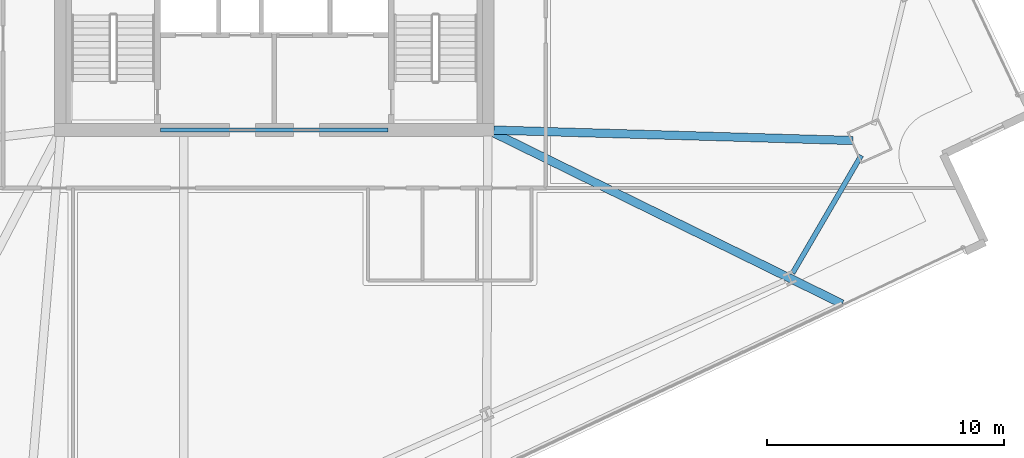
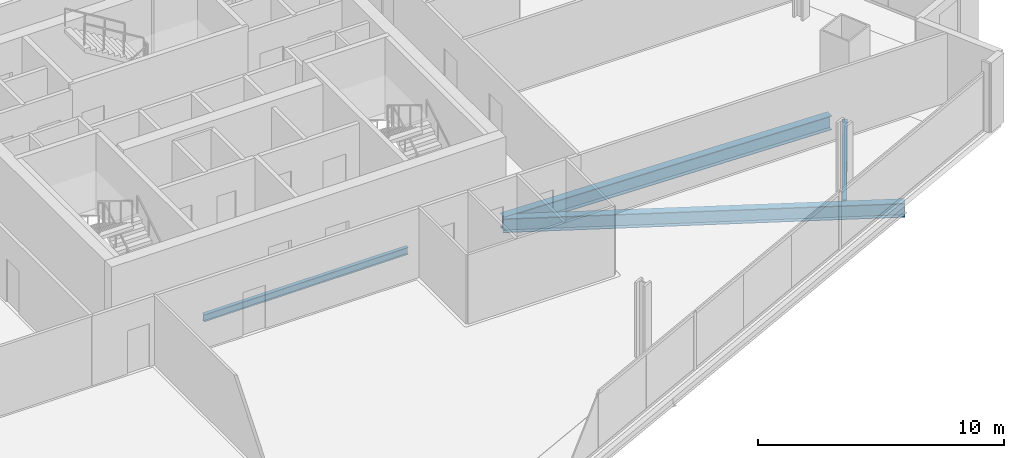
# One storey, part 10 of 34: 4 beams.
"""IFC4 building model written with IfcOpenShell, lengths in metres."""

from ifc_helpers import new_model, si_unit, direction, frame, origin, origin_2d, place, context, subcontext, project, spatial, i_section, extrude, material, material_profile, profile_set, type_object, element, save


model = new_model("IFC4")

# Units and contexts
model_context = context("Model", 3, precision=1e-05, world=origin(), true_north=direction((0.0, 1.0)))
body_context = subcontext(model_context, "Body", "Model", "MODEL_VIEW")
ifc_project = project(units=[si_unit("LENGTHUNIT", "METRE"), si_unit("AREAUNIT", "SQUARE_METRE"), si_unit("VOLUMEUNIT", "CUBIC_METRE"), si_unit("PLANEANGLEUNIT", "RADIAN"), si_unit("MASSUNIT", "GRAM", prefix="KILO")], contexts=[model_context])

# Site, building, storey
site_placement = place(None, origin())
site = spatial("IfcSite", under=ifc_project, at=site_placement, CompositionType="ELEMENT")
building_placement = place(site_placement, origin())
building = spatial("IfcBuilding", under=site, at=building_placement, Name="Haldenkirk Collegiate Tower", CompositionType="ELEMENT")
storey_placement = place(building_placement, frame((0.0, 0.0, 112.949951171875)))
storey = spatial("IfcBuildingStorey", under=building, at=storey_placement, Name="L27", CompositionType="ELEMENT", Elevation=112.949951171875)

# Beams
ifc_material = material(Name="Steel ASTM A992 Grade 50", Category="steel")
ifc_material_profile_1 = material_profile(ifc_material, i_section(OverallWidth=0.35498046875, OverallDepth=0.696044921875, WebThickness=0.015380859375, FlangeThickness=0.02490234375, at=origin_2d()), Name="W27X146")
ifc_profile_set_1 = profile_set([ifc_material_profile_1], Name="Steel ASTM A992 Grade 50")
beam_type_1 = type_object("IfcBeamType", Name="BM-GIRDER-W27X146", PredefinedType="BEAM", material=ifc_profile_set_1)
beam_1_placement = place(storey_placement, frame((60.4072265625, 17.55322265625, -0.64794921875), z_axis=(-0.999579697841, 0.028990130448, 0.0), x_axis=(-0.028990130448, -0.999579697841, 0.0)))
element("IfcBeam", 1, at=beam_1_placement, inside=storey, type_object=beam_type_1, Name="L27 primary floor girder 02", PredefinedType="BEAM", context=body_context, shape_type="SweptSolid", body=[
    extrude(i_section(OverallWidth=0.35498046875, OverallDepth=0.696044921875, WebThickness=0.015380859375, FlangeThickness=0.02490234375, at=origin_2d()), origin(), (0.0, 0.0, 1.0), 15.15869140625),
])
beam_2_placement = place(storey_placement, frame((59.95166015625, 10.659423828125, -0.64794921875), z_axis=(-0.897648660002, 0.440711791534, 0.0), x_axis=(-0.440711791534, -0.897648660002, 0.0)))
element("IfcBeam", 2, at=beam_2_placement, inside=storey, type_object=beam_type_1, Name="L27 primary floor girder 07", PredefinedType="BEAM", context=body_context, shape_type="SweptSolid", body=[
    extrude(i_section(OverallWidth=0.35498046875, OverallDepth=0.696044921875, WebThickness=0.015380859375, FlangeThickness=0.02490234375, at=origin_2d()), origin(), (0.0, 0.0, 1.0), 16.4013671875),
])
ifc_material_profile_2 = material_profile(ifc_material, i_section(OverallWidth=0.1708984375, OverallDepth=0.35595703125, WebThickness=0.007080078125, FlangeThickness=0.01171875, at=origin_2d()), Name="W14X34")
ifc_profile_set_2 = profile_set([ifc_material_profile_2], Name="Steel ASTM A992 Grade 50")
beam_type_2 = type_object("IfcBeamType", Name="BM-LINTEL-W14X34", PredefinedType="LINTEL", material=ifc_profile_set_2)
beam_3_placement = place(storey_placement, frame((31.199951171875, 18.0, -0.47802734375), z_axis=(1.0, 0.0, 0.0), x_axis=(0.0, 1.0, 0.0)))
element("IfcBeam", 3, at=beam_3_placement, inside=storey, type_object=beam_type_2, Name="L27 south core coupling lintel", PredefinedType="LINTEL", context=body_context, shape_type="SweptSolid", body=[
    extrude(i_section(OverallWidth=0.1708984375, OverallDepth=0.35595703125, WebThickness=0.007080078125, FlangeThickness=0.01171875, at=origin_2d()), origin(), (0.0, 0.0, 1.0), 9.60009765625),
])
ifc_material_profile_3 = material_profile(ifc_material, i_section(OverallWidth=0.2119140625, OverallDepth=0.5439453125, WebThickness=0.01318359375, FlangeThickness=0.021240234375, at=origin_2d()), Name="W21X83")
ifc_profile_set_3 = profile_set([ifc_material_profile_3], Name="Steel ASTM A992 Grade 50")
beam_type_3 = type_object("IfcBeamType", Name="BM-SPANDREL-W21X83", PredefinedType="SPANDREL", material=ifc_profile_set_3)
beam_4_placement = place(storey_placement, frame((57.86181640625, 11.958251953125, -0.572021484375), z_axis=(0.503667660107, 0.863897498643, 0.0), x_axis=(-0.863897498643, 0.503667660107, 0.0)))
element("IfcBeam", 4, at=beam_4_placement, inside=storey, type_object=beam_type_3, Name="L27 perimeter spandrel beam 04", PredefinedType="SPANDREL", context=body_context, shape_type="SweptSolid", body=[
    extrude(i_section(OverallWidth=0.2119140625, OverallDepth=0.5439453125, WebThickness=0.01318359375, FlangeThickness=0.021240234375, at=origin_2d()), origin(), (0.0, 0.0, 1.0), 5.747802734375),
])

save(model, "model.ifc")
